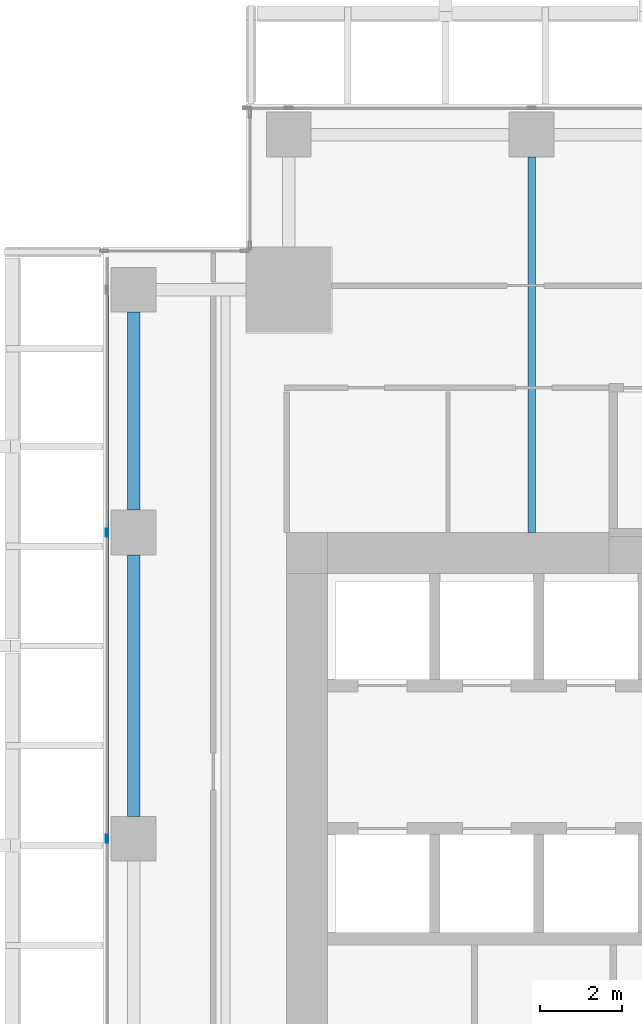
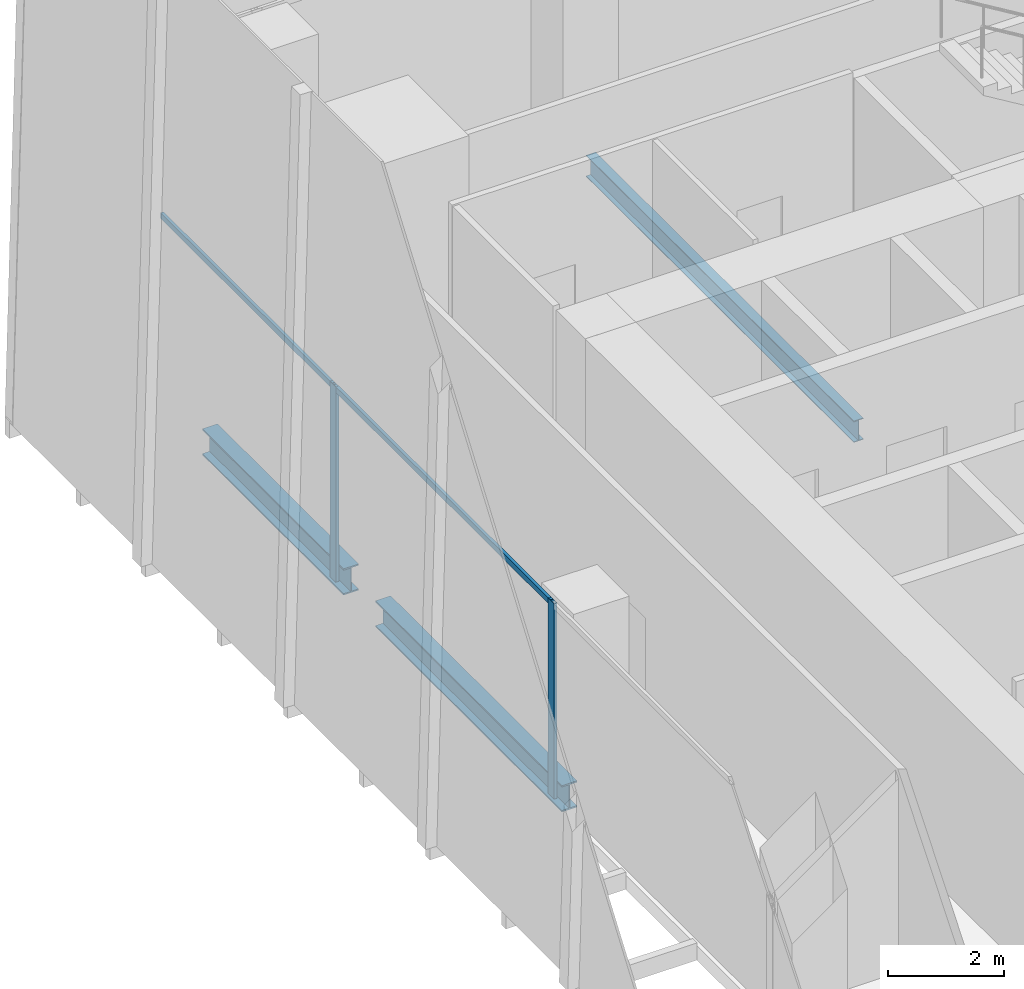
# One storey, part 12 of 34: 4 members, 3 beams, 1 element without a shape of its own.
"""IFC4 building model written with IfcOpenShell, lengths in metres."""

from ifc_helpers import new_model, si_unit, direction, frame, origin, origin_2d, place, context, subcontext, project, spatial, hollow_rectangle, i_section, extrude, source, transform, mapped, material, material_profile, profile_set, type_object, element, aggregate, save


model = new_model("IFC4")

# Units and contexts
model_context = context("Model", 3, precision=1e-05, world=origin(), true_north=direction((0.0, 1.0)))
body_context = subcontext(model_context, "Body", "Model", "MODEL_VIEW")
ifc_project = project(units=[si_unit("LENGTHUNIT", "METRE"), si_unit("AREAUNIT", "SQUARE_METRE"), si_unit("VOLUMEUNIT", "CUBIC_METRE"), si_unit("PLANEANGLEUNIT", "RADIAN"), si_unit("MASSUNIT", "GRAM", prefix="KILO")], contexts=[model_context])

# Site, building, storey
site_placement = place(None, origin())
site = spatial("IfcSite", under=ifc_project, at=site_placement, CompositionType="ELEMENT")
building_placement = place(site_placement, origin())
building = spatial("IfcBuilding", under=site, at=building_placement, Name="Khomas Fold Tower", CompositionType="ELEMENT")
storey_placement = place(building_placement, frame((0.0, 0.0, 114.699951171875)))
storey = spatial("IfcBuildingStorey", under=building, at=storey_placement, Name="L24", CompositionType="ELEMENT", Elevation=114.699951171875)

# Beams
ifc_material_1 = material(Name="Steel S355", Category="steel")
ifc_material_profile_1 = material_profile(ifc_material_1, i_section(OverallWidth=0.300048828125, OverallDepth=0.550048828125, WebThickness=0.014892578125, FlangeThickness=0.029052734375, at=origin_2d()), Name="HE 550 B")
ifc_profile_set_1 = profile_set([ifc_material_profile_1], Name="Steel S355")
beam_type_1 = type_object("IfcBeamType", Name="HE 550 B spandrel SB2", PredefinedType="SPANDREL", material=ifc_profile_set_1)
shared_shape_1 = source(origin(), body_context, "Body", "SweptSolid", [
    extrude(i_section(OverallWidth=0.300048828125, OverallDepth=0.550048828125, WebThickness=0.014892578125, FlangeThickness=0.029052734375, at=origin_2d()), origin(), (0.0, 0.0, 1.0), 4.849853515625),
])
beam_1_placement = place(storey_placement, frame((2.25, 42.550048828125, -0.574951171875), z_axis=(0.0, 1.0, 0.0), x_axis=(-1.0, 0.0, 0.0)))
element("IfcBeam", 1, at=beam_1_placement, inside=storey, type_object=beam_type_1, Name="SB2", PredefinedType="SPANDREL", context=body_context, shape_type="MappedRepresentation", body=[
    mapped(shared_shape_1, transform((0.0, 0.0, 0.0))),
])
shared_shape_2 = source(origin(), body_context, "Body", "SweptSolid", [
    extrude(i_section(OverallWidth=0.300048828125, OverallDepth=0.550048828125, WebThickness=0.014892578125, FlangeThickness=0.029052734375, at=origin_2d()), origin(), (0.0, 0.0, 1.0), 6.39990234375),
])
beam_2_placement = place(storey_placement, frame((2.25, 35.050048828125, -0.574951171875), z_axis=(0.0, 1.0, 0.0), x_axis=(-1.0, 0.0, 0.0)))
element("IfcBeam", 2, at=beam_2_placement, inside=storey, type_object=beam_type_1, Name="SB2", PredefinedType="SPANDREL", context=body_context, shape_type="MappedRepresentation", body=[
    mapped(shared_shape_2, transform((0.0, 0.0, 0.0))),
])
ifc_material_2 = material(Name="Steel S355", Category="steel")
ifc_material_profile_2 = material_profile(ifc_material_2, i_section(OverallWidth=0.18994140625, OverallDepth=0.449951171875, WebThickness=0.009521484375, FlangeThickness=0.0146484375, at=origin_2d()), Name="IPE 450")
ifc_profile_set_2 = profile_set([ifc_material_profile_2], Name="Steel S355")
beam_type_2 = type_object("IfcBeamType", Name="IPE 450 beam JB4", PredefinedType="BEAM", material=ifc_profile_set_2)
shared_shape_3 = source(origin(), body_context, "Body", "SweptSolid", [
    extrude(i_section(OverallWidth=0.18994140625, OverallDepth=0.449951171875, WebThickness=0.009521484375, FlangeThickness=0.0146484375, at=origin_2d()), origin(), (0.0, 0.0, 1.0), 9.199951171875),
])
beam_3_placement = place(storey_placement, frame((12.0, 42.0, -0.52490234375), z_axis=(0.0, 1.0, 0.0), x_axis=(-1.0, 0.0, 0.0)))
element("IfcBeam", 3, at=beam_3_placement, inside=storey, type_object=beam_type_2, Name="JB4", PredefinedType="BEAM", context=body_context, shape_type="MappedRepresentation", body=[
    mapped(shared_shape_3, transform((0.0, 0.0, 0.0))),
])

# Curtain wall, members
ifc_material_3 = material(Name="Aluminium framed double glazing", Category="aluminium")
curtain_wall_type = type_object("IfcCurtainWallType", Name="SK-Unitised clear-glass wall, growing floors CW1", PredefinedType="NOTDEFINED", material=ifc_material_3)
curtain_wall_placement = place(storey_placement, origin())
curtain_wall = element("IfcCurtainWall", 4, at=curtain_wall_placement, inside=storey, type_object=curtain_wall_type, Name="CW1 run L24 09-0", PredefinedType="NOTDEFINED")
ifc_material_4 = material(Name="Aluminium", Category="aluminium")
ifc_material_profile_3 = material_profile(ifc_material_4, hollow_rectangle(XDim=0.06005859375, YDim=0.1201171875, WallThickness=0.00390625, at=origin_2d()), Name="SK-Unitised clear-glass wall, growing floors transom CW1-T")
ifc_profile_set_3 = profile_set([ifc_material_profile_3], Name="Aluminium")
member_type_1 = type_object("IfcMemberType", Name="SK-Unitised clear-glass wall, growing floors transom CW1-T", PredefinedType="USERDEFINED", material=ifc_profile_set_3)
shared_shape_4 = source(origin(), body_context, "Body", "SweptSolid", [
    extrude(hollow_rectangle(XDim=0.06005859375, YDim=0.1201171875, WallThickness=0.00390625, at=origin_2d()), origin(), (0.0, 0.0, 1.0), 7.43994140625),
])
member_1_placement = place(storey_placement, frame((1.60009765625, 41.969970703125, 4.0400390625), z_axis=(0.0, -1.0, 0.0), x_axis=(1.0, 0.0, 0.0)))
member_1 = element("IfcMember", 5, at=member_1_placement, type_object=member_type_1, Name="CW1 transom 3", ObjectType="TRANSOM", PredefinedType="USERDEFINED", context=body_context, shape_type="MappedRepresentation", body=[
    mapped(shared_shape_4, transform((0.0, 0.0, 0.0))),
])
ifc_material_5 = material(Name="Aluminium", Category="aluminium")
ifc_material_profile_4 = material_profile(ifc_material_5, hollow_rectangle(XDim=0.06005859375, YDim=0.199951171875, WallThickness=0.00390625, at=origin_2d()), Name="SK-Unitised clear-glass wall, growing floors mullion CW1-M")
ifc_profile_set_4 = profile_set([ifc_material_profile_4], Name="Aluminium")
member_type_2 = type_object("IfcMemberType", Name="SK-Unitised clear-glass wall, growing floors mullion CW1-M", PredefinedType="MULLION", material=ifc_profile_set_4)
shared_shape_5 = source(origin(), body_context, "Body", "SweptSolid", [
    extrude(hollow_rectangle(XDim=0.06005859375, YDim=0.199951171875, WallThickness=0.00390625, at=origin_2d()), origin(), (0.0, 0.0, 1.0), 4.10009765625),
])
member_2_placement = place(storey_placement, frame((1.60009765625, 42.0, 0.0), z_axis=(0.0, 0.0, 1.0), x_axis=(1.0, 0.0, 0.0)))
member_2 = element("IfcMember", 6, at=member_2_placement, type_object=member_type_2, Name="CW1 mullion 3", PredefinedType="MULLION", context=body_context, shape_type="MappedRepresentation", body=[
    mapped(shared_shape_5, transform((0.0, 0.0, 0.0))),
])
member_3_placement = place(storey_placement, frame((1.60009765625, 34.5, 0.0), z_axis=(0.0, 0.0, 1.0), x_axis=(1.0, 0.0, 0.0)))
member_3 = element("IfcMember", 7, at=member_3_placement, type_object=member_type_2, Name="CW1 mullion 4", PredefinedType="MULLION", context=body_context, shape_type="MappedRepresentation", body=[
    mapped(shared_shape_5, transform((0.0, 0.0, 0.0))),
])
shared_shape_6 = source(origin(), body_context, "Body", "SweptSolid", [
    extrude(hollow_rectangle(XDim=0.06005859375, YDim=0.1201171875, WallThickness=0.00390625, at=origin_2d()), origin(), (0.0, 0.0, 1.0), 5.889892578125),
])
member_4_placement = place(storey_placement, frame((1.60009765625, 47.919921875, 4.0400390625), z_axis=(0.0, -1.0, 0.0), x_axis=(1.0, 0.0, 0.0)))
member_4 = element("IfcMember", 8, at=member_4_placement, type_object=member_type_1, Name="CW1 transom 2", ObjectType="TRANSOM", PredefinedType="USERDEFINED", context=body_context, shape_type="MappedRepresentation", body=[
    mapped(shared_shape_6, transform((0.0, 0.0, 0.0))),
])
aggregate(curtain_wall, [member_2, member_3, member_4, member_1])

save(model, "model.ifc")
